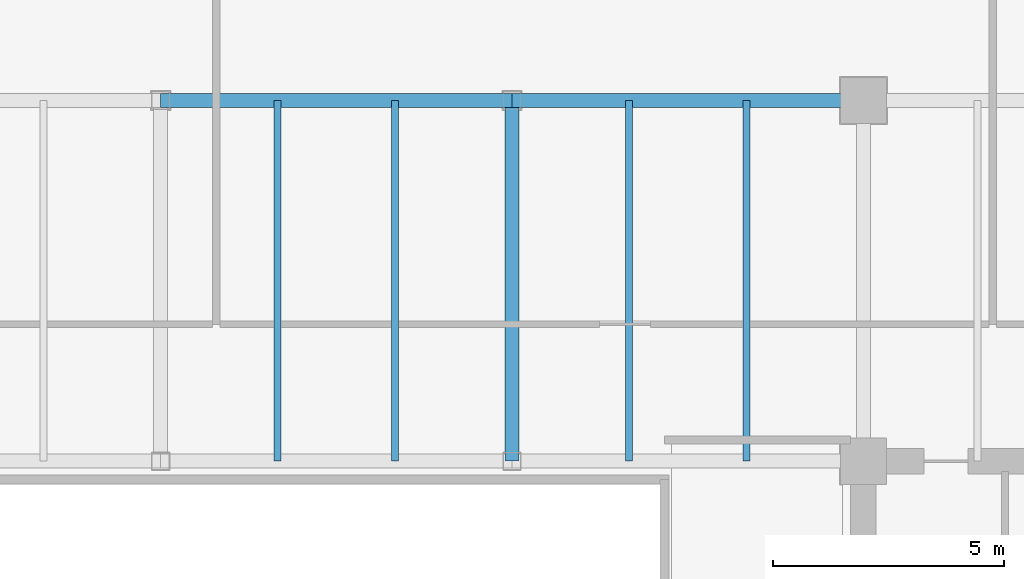
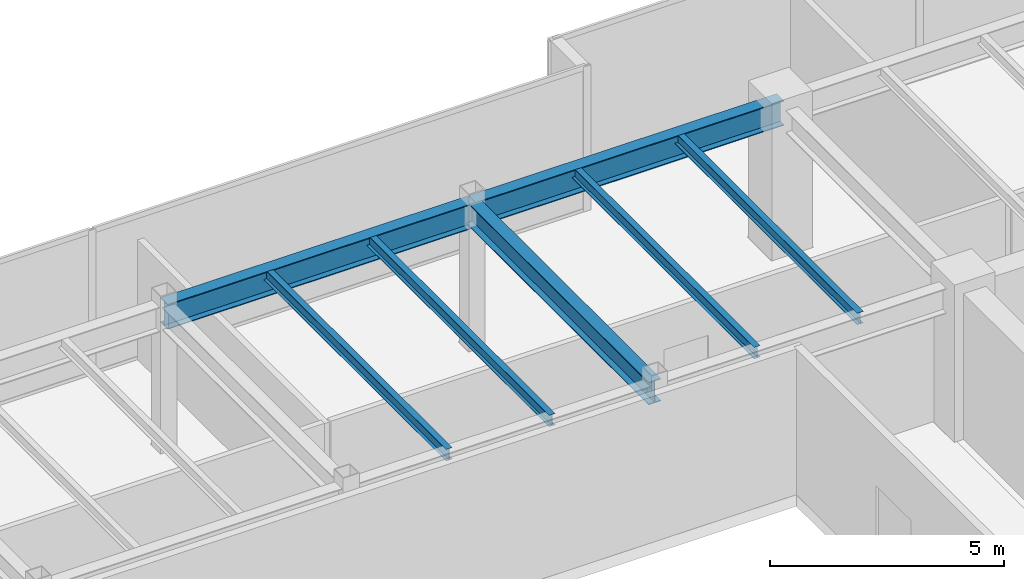
# One storey, part 18 of 35: 7 beams.
"""IFC4 building model written with IfcOpenShell, lengths in metres."""

from ifc_helpers import new_model, si_unit, direction, frame, origin, origin_2d, place, context, subcontext, project, spatial, i_section, extrude, source, transform, mapped, material, material_profile, profile_set, type_object, type_shapes, element, save


model = new_model("IFC4")

# Units and contexts
model_context = context("Model", 3, precision=1e-05, world=origin(), true_north=direction((0.0, 1.0)))
body_context = subcontext(model_context, "Body", "Model", "MODEL_VIEW")
ifc_project = project(units=[si_unit("LENGTHUNIT", "METRE"), si_unit("AREAUNIT", "SQUARE_METRE"), si_unit("VOLUMEUNIT", "CUBIC_METRE"), si_unit("PLANEANGLEUNIT", "RADIAN"), si_unit("MASSUNIT", "GRAM", prefix="KILO")], contexts=[model_context])

# Site, building, storey
site_placement = place(None, origin())
site = spatial("IfcSite", under=ifc_project, at=site_placement, CompositionType="ELEMENT")
building_placement = place(site_placement, origin())
building = spatial("IfcBuilding", under=site, at=building_placement, Name="Haelvirn Gate Laboratories", CompositionType="ELEMENT")
storey_placement = place(building_placement, frame((0.0, 0.0, 226.0)))
storey = spatial("IfcBuildingStorey", under=building, at=storey_placement, Name="L54", CompositionType="ELEMENT", Elevation=226.0)

# Beams
ifc_material = material(Name="Steel SM355", Category="steel")
ifc_material_profile_1 = material_profile(ifc_material, i_section(OverallWidth=0.14990234375, OverallDepth=0.300048828125, WebThickness=0.006591796875, FlangeThickness=0.009033203125, at=origin_2d()), Name="H-300x150x6.5x9")
ifc_profile_set_1 = profile_set([ifc_material_profile_1], Name="Steel SM355")
beam_type_1 = type_object("IfcBeamType", Name="BM-J-300", PredefinedType="JOIST", material=ifc_profile_set_1)
shared_shape_1 = source(origin(), body_context, "Body", "SweptSolid", [
    extrude(i_section(OverallWidth=0.14990234375, OverallDepth=0.300048828125, WebThickness=0.006591796875, FlangeThickness=0.009033203125, at=origin_2d()), origin(), (0.0, 0.0, 1.0), 7.800048828125),
])
type_shapes(beam_type_1, [shared_shape_1])
for number, where, z_axis, x_axis, name in (
    (1, (39.929931640625, 33.800048828125, 3.64990234375), (0.0, 1.0, 0.0), (-1.0, 0.0, 0.0), "L54 Composite Lab Joist North X39.93"),
    (2, (42.469970703125, 33.800048828125, 3.64990234375), (0.0, 1.0, 0.0), (-1.0, 0.0, 0.0), "L54 Composite Lab Joist North X42.47"),
    (3, (47.530029296875, 33.800048828125, 3.64990234375), (0.0, 1.0, 0.0), (-1.0, 0.0, 0.0), "L54 Composite Lab Joist North X47.53"),
    (4, (50.070068359375, 33.800048828125, 3.64990234375), (0.0, 1.0, 0.0), (-1.0, 0.0, 0.0), "L54 Composite Lab Joist North X50.07"),
):
    element("IfcBeam", number, at=place(storey_placement, frame(where, z_axis=z_axis, x_axis=x_axis)), inside=storey, type_object=beam_type_1, Name=name, PredefinedType="JOIST", context=body_context, shape_type="MappedRepresentation", body=[
        mapped(shared_shape_1, transform((0.0, 0.0, 0.0), scale=1.0)),
    ])
ifc_material_profile_2 = material_profile(ifc_material, i_section(OverallWidth=0.300048828125, OverallDepth=0.587890625, WebThickness=0.011962890625, FlangeThickness=0.02001953125, at=origin_2d()), Name="H-588x300x12x20")
ifc_profile_set_2 = profile_set([ifc_material_profile_2], Name="Steel SM355")
beam_type_2 = type_object("IfcBeamType", Name="BM-G-588", PredefinedType="BEAM", material=ifc_profile_set_2)
shared_shape_2 = source(origin(), body_context, "Body", "SweptSolid", [
    extrude(i_section(OverallWidth=0.300048828125, OverallDepth=0.587890625, WebThickness=0.011962890625, FlangeThickness=0.02001953125, at=origin_2d()), origin(), (0.0, 0.0, 1.0), 7.800048828125),
])
type_shapes(beam_type_2, [shared_shape_2])
beam_placement = place(storey_placement, frame((45.0, 33.800048828125, 3.506103515625), z_axis=(0.0, 1.0, 0.0), x_axis=(-1.0, 0.0, 0.0)))
element("IfcBeam", 5, at=beam_placement, inside=storey, type_object=beam_type_2, Name="L54 Frame Girder X45.0 (33.8-41.6)", PredefinedType="BEAM", context=body_context, shape_type="MappedRepresentation", body=[
    mapped(shared_shape_2, transform((0.0, 0.0, 0.0), scale=1.0)),
])
ifc_material_profile_3 = material_profile(ifc_material, i_section(OverallWidth=0.300048828125, OverallDepth=0.64990234375, WebThickness=0.012939453125, FlangeThickness=0.02197265625, at=origin_2d()), Name="H-650x300x13x22")
ifc_profile_set_3 = profile_set([ifc_material_profile_3], Name="Steel SM355")
beam_type_3 = type_object("IfcBeamType", Name="BM-G-650", PredefinedType="BEAM", material=ifc_profile_set_3)
shared_shape_3 = source(origin(), body_context, "Body", "SweptSolid", [
    extrude(i_section(OverallWidth=0.300048828125, OverallDepth=0.64990234375, WebThickness=0.012939453125, FlangeThickness=0.02197265625, at=origin_2d()), origin(), (0.0, 0.0, 1.0), 7.60009765625),
])
type_shapes(beam_type_3, [shared_shape_3])
for number, where, z_axis, x_axis, name in (
    (6, (37.39990234375, 41.60009765625, 3.47509765625), (1.0, 0.0, 0.0), (0.0, 1.0, 0.0), "L54 Primary Girder Y41.6 (37.4-45.0)"),
    (7, (45.0, 41.60009765625, 3.47509765625), (1.0, 0.0, 0.0), (0.0, 1.0, 0.0), "L54 Primary Girder Y41.6 (45.0-52.6)"),
):
    element("IfcBeam", number, at=place(storey_placement, frame(where, z_axis=z_axis, x_axis=x_axis)), inside=storey, type_object=beam_type_3, Name=name, PredefinedType="BEAM", context=body_context, shape_type="MappedRepresentation", body=[
        mapped(shared_shape_3, transform((0.0, 0.0, 0.0), scale=1.0)),
    ])

save(model, "model.ifc")
